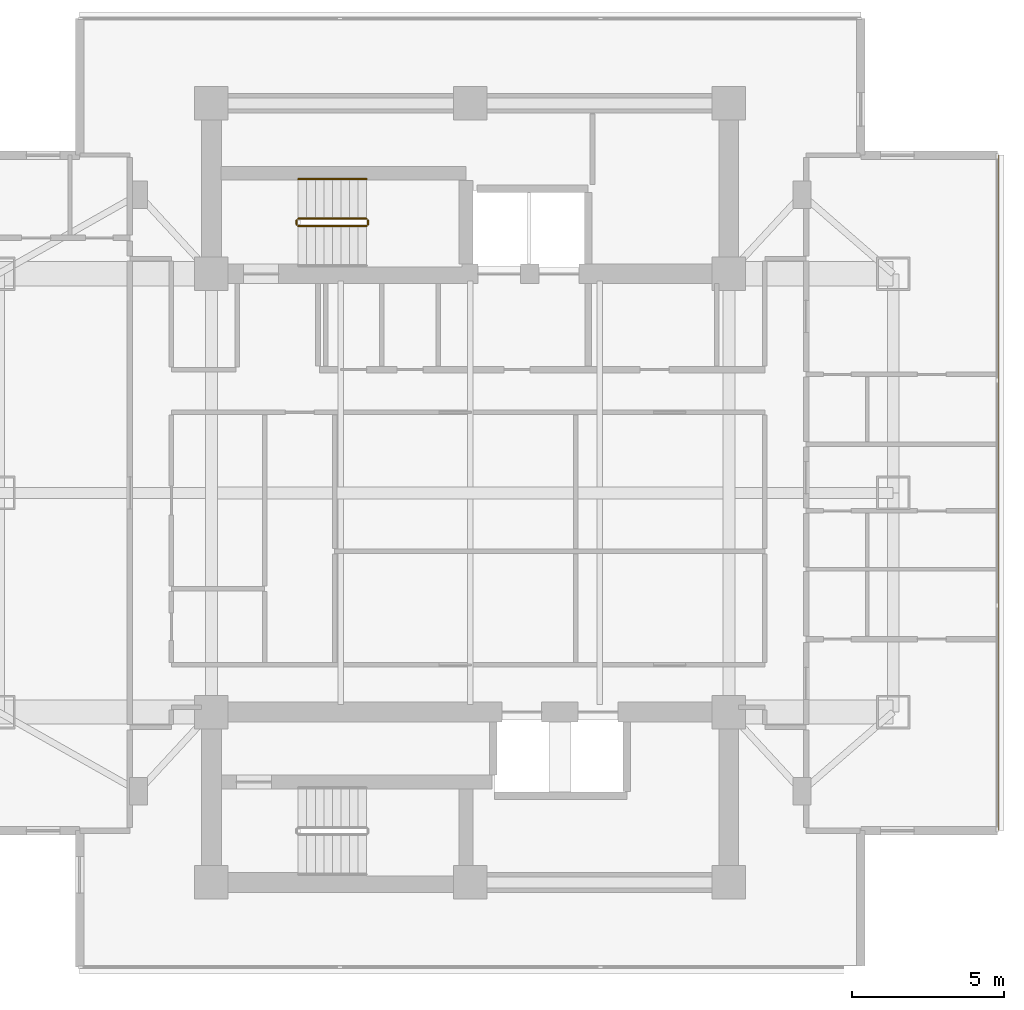
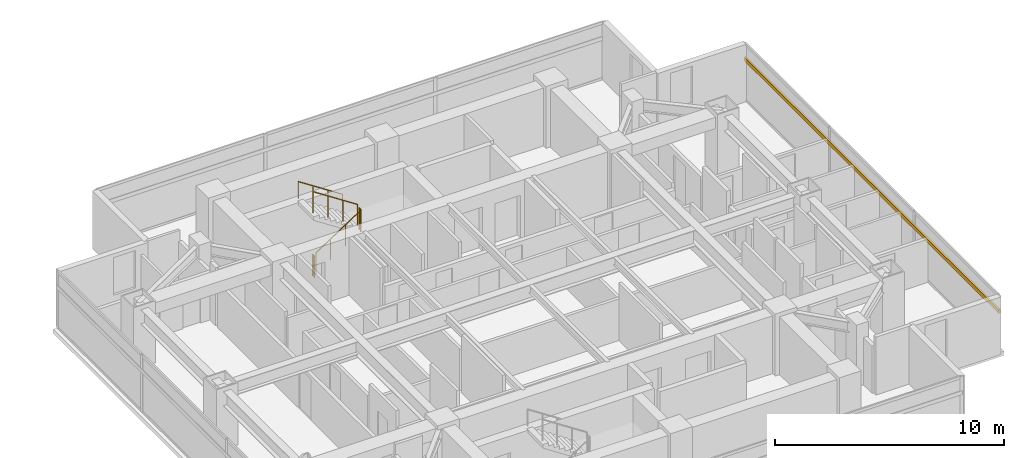
# One storey, part 26 of 27: 5 railings, 1 shading device.
"""IFC4 building model written with IfcOpenShell, lengths in metres."""

from ifc_helpers import new_model, si_unit, direction, frame, origin, origin_2d, place, context, subcontext, project, spatial, rectangle, circle, extrude, material, material_profile, profile_set, type_object, element, save


model = new_model("IFC4")

# Units and contexts
model_context = context("Model", 3, precision=1e-05, world=origin(), true_north=direction((0.0, 1.0)))
body_context = subcontext(model_context, "Body", "Model", "MODEL_VIEW")
ifc_project = project(units=[si_unit("LENGTHUNIT", "METRE"), si_unit("AREAUNIT", "SQUARE_METRE"), si_unit("VOLUMEUNIT", "CUBIC_METRE"), si_unit("PLANEANGLEUNIT", "RADIAN"), si_unit("MASSUNIT", "GRAM", prefix="KILO")], contexts=[model_context])

# Site, building, storey
site_placement = place(None, origin())
site = spatial("IfcSite", under=ifc_project, at=site_placement, CompositionType="ELEMENT")
building_placement = place(site_placement, origin())
building = spatial("IfcBuilding", under=site, at=building_placement, Name="Mirazonda Arch Towers", CompositionType="ELEMENT")
storey_placement = place(building_placement, frame((0.0, 0.0, 124.699951171875)))
storey = spatial("IfcBuildingStorey", under=building, at=storey_placement, Name="L35", CompositionType="ELEMENT", Elevation=124.699951171875)

# Shading device
ifc_material_1 = material(Name="Kiln-Fired Architectural Terracotta", Category="masonry")
ifc_material_profile = material_profile(ifc_material_1, rectangle(XDim=0.10009765625, YDim=0.199951171875, at=origin_2d()), Name="TERRA-BAG-100x200")
ifc_profile_set = profile_set([ifc_material_profile], Name="Kiln-Fired Architectural Terracotta")
shading_device_type = type_object("IfcShadingDeviceType", Name="BAGUETTE-2", PredefinedType="USERDEFINED", material=ifc_profile_set)
shading_device_placement = place(storey_placement, frame((93.821044921875, 16.90087890625, 2.203369140625), z_axis=(0.0, 1.0, 0.0), x_axis=(-1.0, 0.0, 0.0)))
element("IfcShadingDevice", 1, at=shading_device_placement, inside=storey, type_object=shading_device_type, Name="L35 Glazed Terracotta Sun-Screen Baguette CW-L35-T2-E", ObjectType="BAGUETTE", PredefinedType="USERDEFINED", context=body_context, shape_type="SweptSolid", body=[
    extrude(rectangle(XDim=0.10009765625, YDim=0.199951171875, at=origin_2d()), origin(), (0.0, 0.0, 1.0), 22.1982421875),
])

# Railings
ifc_material_2 = material(Name="Architectural Brushed Steel S355", Category="steel")
railing_type_1 = type_object("IfcRailingType", Name="GUARD-STAIR-1120", PredefinedType="GUARDRAIL", material=ifc_material_2)
railing_1_placement = place(storey_placement, frame((70.85009765625, 36.77001953125, 0.183349609375)))
element("IfcRailing", 2, at=railing_1_placement, inside=storey, type_object=railing_type_1, Name="L35 ST-T2N stair guard 1", PredefinedType="GUARDRAIL", context=body_context, shape_type="SweptSolid", body=[
    extrude(circle(Radius=0.02392578125, at=origin_2d()), frame((0.0, 0.0, 1.1259765625), z_axis=(0.836595146698, 0.0, 0.547821650285), x_axis=(0.0, 1.0, 0.0)), (0.0, 0.0, 1.0), 2.677490234375),
    extrude(circle(Radius=0.02099609375, at=origin_2d()), origin(), (0.0, 0.0, 1.0), 1.101806640625),
    extrude(circle(Radius=0.02099609375, at=origin_2d()), frame((0.74658203125, 0.0, 0.489013671875)), (0.0, 0.0, 1.0), 1.101806640625),
    extrude(circle(Radius=0.02099609375, at=origin_2d()), frame((1.493408203125, 0.0, 0.977783203125)), (0.0, 0.0, 1.0), 1.101806640625),
    extrude(circle(Radius=0.02099609375, at=origin_2d()), frame((2.239990234375, 0.0, 1.466796875)), (0.0, 0.0, 1.0), 1.101806640625),
])
railing_2_placement = place(storey_placement, frame((73.139892578125, 36.820068359375, 1.650146484375)))
element("IfcRailing", 3, at=railing_2_placement, inside=storey, type_object=railing_type_1, Name="L35 ST-T2N stair guard 2", PredefinedType="GUARDRAIL", context=body_context, shape_type="SweptSolid", body=[
    extrude(circle(Radius=0.02392578125, at=origin_2d()), frame((0.0, 0.0, 1.1259765625), z_axis=(0.0, 1.0, 0.0), x_axis=(-1.0, 0.0, 0.0)), (0.0, 0.0, 1.0), 0.139892578125),
    extrude(circle(Radius=0.02099609375, at=origin_2d()), origin(), (0.0, 0.0, 1.0), 1.101806640625),
    extrude(circle(Radius=0.02099609375, at=origin_2d()), frame((0.0, 0.139892578125, 0.0)), (0.0, 0.0, 1.0), 1.101806640625),
])
railing_3_placement = place(storey_placement, frame((73.090087890625, 37.010009765625, 1.83349609375)))
element("IfcRailing", 4, at=railing_3_placement, inside=storey, type_object=railing_type_1, Name="L35 ST-T2N stair guard 3", PredefinedType="GUARDRAIL", context=body_context, shape_type="SweptSolid", body=[
    extrude(circle(Radius=0.02392578125, at=origin_2d()), frame((0.0, 0.0, 1.1259765625), z_axis=(-0.836636935527, 0.0, 0.547757827979), x_axis=(0.0, -1.0, 0.0)), (0.0, 0.0, 1.0), 2.677490234375),
    extrude(circle(Radius=0.02099609375, at=origin_2d()), origin(), (0.0, 0.0, 1.0), 1.101806640625),
    extrude(circle(Radius=0.02099609375, at=origin_2d()), frame((-0.74658203125, 0.0, 0.48876953125)), (0.0, 0.0, 1.0), 1.101806640625),
    extrude(circle(Radius=0.02099609375, at=origin_2d()), frame((-1.493408203125, 0.0, 0.977783203125)), (0.0, 0.0, 1.0), 1.101806640625),
    extrude(circle(Radius=0.02099609375, at=origin_2d()), frame((-2.239990234375, 0.0, 1.466552734375)), (0.0, 0.0, 1.0), 1.101806640625),
])
railing_4_placement = place(storey_placement, frame((70.800048828125, 36.820068359375, 0.0)))
element("IfcRailing", 5, at=railing_4_placement, inside=storey, type_object=railing_type_1, Name="L35 ST-T2N stair guard 4", PredefinedType="GUARDRAIL", context=body_context, shape_type="SweptSolid", body=[
    extrude(circle(Radius=0.02392578125, at=origin_2d()), frame((0.0, 0.0, 1.1259765625), z_axis=(0.0, 1.0, 0.0), x_axis=(-1.0, 0.0, 0.0)), (0.0, 0.0, 1.0), 0.139892578125),
    extrude(circle(Radius=0.02099609375, at=origin_2d()), origin(), (0.0, 0.0, 1.0), 1.101806640625),
    extrude(circle(Radius=0.02099609375, at=origin_2d()), frame((0.0, 0.139892578125, 0.0)), (0.0, 0.0, 1.0), 1.101806640625),
])
railing_type_2 = type_object("IfcRailingType", Name="HANDRAIL-915", PredefinedType="HANDRAIL", material=ifc_material_2)
railing_5_placement = place(storey_placement, frame((73.090087890625, 38.31005859375, 1.83349609375)))
element("IfcRailing", 6, at=railing_5_placement, inside=storey, type_object=railing_type_2, Name="L35 ST-T2N stair handrail 2", PredefinedType="HANDRAIL", context=body_context, shape_type="SweptSolid", body=[
    extrude(circle(Radius=0.02392578125, at=origin_2d()), frame((0.0, 0.0, 0.8759765625), z_axis=(-0.836636935527, 0.0, 0.547757827979), x_axis=(0.0, -1.0, 0.0)), (0.0, 0.0, 1.0), 2.677490234375),
    extrude(circle(Radius=0.02099609375, at=origin_2d()), origin(), (0.0, 0.0, 1.0), 0.851806640625),
    extrude(circle(Radius=0.02099609375, at=origin_2d()), frame((-0.74658203125, 0.0, 0.48876953125)), (0.0, 0.0, 1.0), 0.851806640625),
    extrude(circle(Radius=0.02099609375, at=origin_2d()), frame((-1.493408203125, 0.0, 0.977783203125)), (0.0, 0.0, 1.0), 0.851806640625),
    extrude(circle(Radius=0.02099609375, at=origin_2d()), frame((-2.239990234375, 0.0, 1.466552734375)), (0.0, 0.0, 1.0), 0.851806640625),
])

save(model, "model.ifc")
